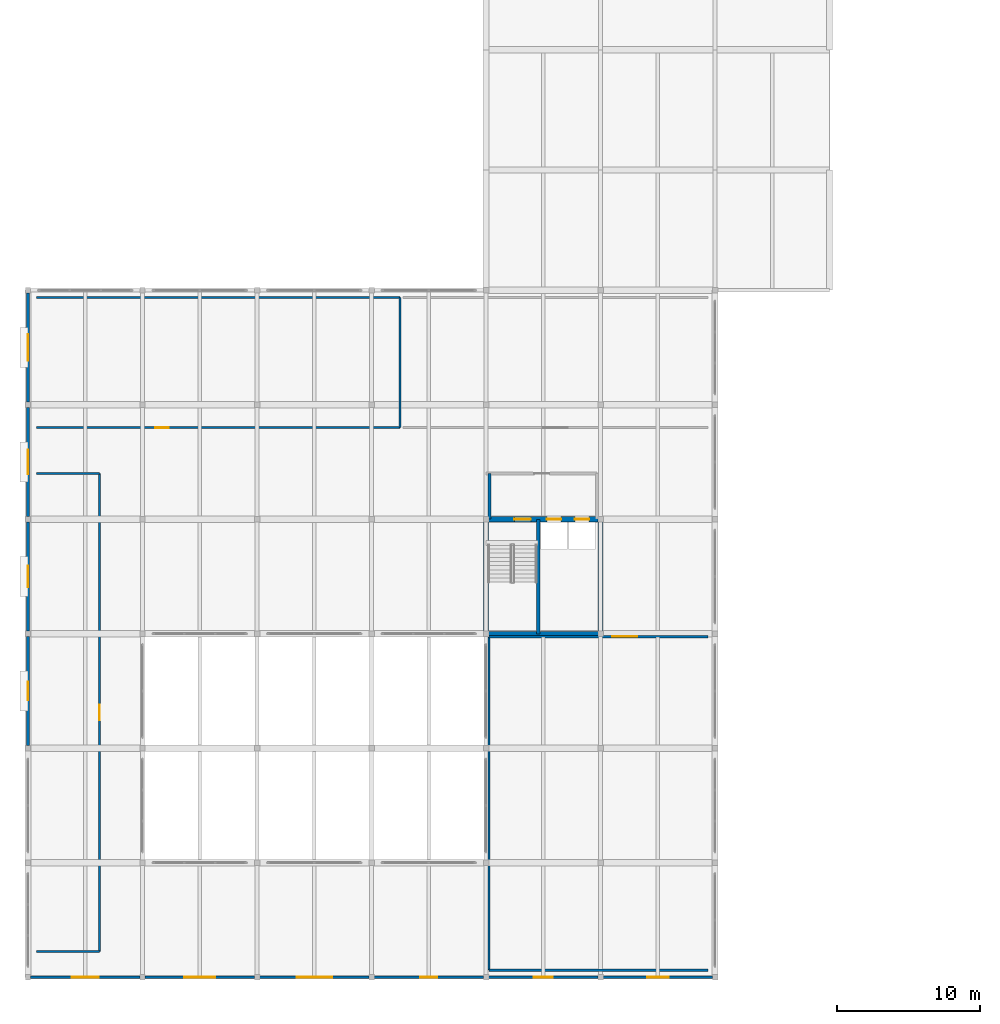
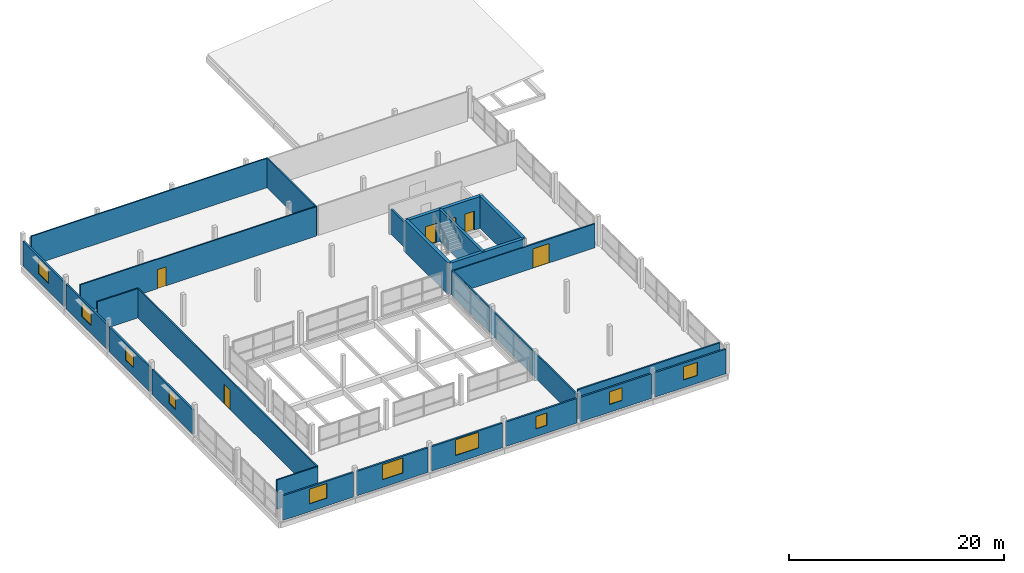
# One storey, part 23 of 34: 25 walls, 10 windows, 6 doors, 16 openings.
"""IFC4 building model written with IfcOpenShell, lengths in metres."""

import ifcopenshell
import ifcopenshell.guid

model = None  # the IFC model being written
_history = None  # IfcOwnerHistory: only IFC2X3 demands one
_inside = {}  # id of a spatial element -> (the spatial element, [elements in it])
_under = {}  # id of a project, library or spatial element -> (it, [spatial elements below it])
_declared = {}  # id of a project -> (the project, [libraries it declares])
_typed = {}  # id of a type object -> (the type object, [elements of that type])
_made_of = {}  # id of a material, layer set ... -> (it, [elements and type objects made of it])


def new_model(schema):
    """Start an empty IFC model of exactly this schema.

    Asked for "IFC4X3", IfcOpenShell would pick the latest addendum, in which some entities
    have other attributes; the version numbers below select the first issue.
    IFC2X3 requires an IfcOwnerHistory on every rooted entity: one is made here for all.
    """
    global model, _history
    if schema == "IFC4X3":
        model = ifcopenshell.file(schema_version=(4, 3, 0, 0))
    else:
        model = ifcopenshell.file(schema=schema)
    _inside.clear()
    _under.clear()
    _declared.clear()
    _typed.clear()
    _made_of.clear()
    _history = None
    if model.schema == "IFC2X3":
        org = make("IfcOrganization", Name="unknown")
        user = make(
            "IfcPersonAndOrganization",
            ThePerson=make("IfcPerson", FamilyName="unknown"),
            TheOrganization=org,
        )
        app = make(
            "IfcApplication",
            ApplicationDeveloper=org,
            Version="unknown",
            ApplicationFullName="unknown",
            ApplicationIdentifier="unknown",
        )
        _history = make(
            "IfcOwnerHistory",
            OwningUser=user,
            OwningApplication=app,
            ChangeAction="ADDED",
            CreationDate=0,
        )
    return model


def make(cls, **values):
    """One entity of the class cls with the attributes given. An attribute that is None is left unset."""
    return model.create_entity(
        cls, **{name: value for name, value in values.items() if value is not None}
    )


def rooted(cls, **values):
    """An entity with a GlobalId (a new one), such as an element, a storey or a relation."""
    return make(cls, GlobalId=ifcopenshell.guid.new(), OwnerHistory=_history, **values)


def si_unit(unit_type, name, prefix=None):
    """IfcSIUnit, for example si_unit("LENGTHUNIT", "METRE", prefix="MILLI")."""
    return make("IfcSIUnit", UnitType=unit_type, Prefix=prefix, Name=name)


def assignment(units):
    """IfcUnitAssignment: the units of a project."""
    return None if units is None else make("IfcUnitAssignment", Units=units)


def point(xyz):
    """IfcCartesianPoint."""
    return None if xyz is None else make("IfcCartesianPoint", Coordinates=xyz)


def direction(xyz):
    """IfcDirection."""
    return None if xyz is None else make("IfcDirection", DirectionRatios=xyz)


def frame(location, z_axis=None, x_axis=None):
    """IfcAxis2Placement3D, a coordinate frame: its origin and axes. An axis left out is left unset."""
    return make(
        "IfcAxis2Placement3D",
        Location=point(location),
        Axis=direction(z_axis),
        RefDirection=direction(x_axis),
    )


def frame_2d(location, x_axis=None):
    """IfcAxis2Placement2D, a coordinate frame in the plane: its origin and x axis."""
    return make(
        "IfcAxis2Placement2D", Location=point(location), RefDirection=direction(x_axis)
    )


def origin():
    """The frame at (0, 0, 0) with its axes left unset."""
    return frame((0.0, 0.0, 0.0))


def place(relative_to, where):
    """IfcLocalPlacement: puts the frame where relative to a parent placement (None: the world)."""
    return make(
        "IfcLocalPlacement", PlacementRelTo=relative_to, RelativePlacement=where
    )


def context(
    kind, dimensions, precision=None, world=None, true_north=None, identifier=None
):
    """IfcGeometricRepresentationContext, for example the 3D "Model" context."""
    return make(
        "IfcGeometricRepresentationContext",
        ContextIdentifier=identifier,
        ContextType=kind,
        CoordinateSpaceDimension=dimensions,
        Precision=precision,
        WorldCoordinateSystem=world,
        TrueNorth=true_north,
    )


def subcontext(parent, identifier, kind, view, scale=None):
    """IfcGeometricRepresentationSubContext, for example "Body" below "Model"."""
    return make(
        "IfcGeometricRepresentationSubContext",
        ContextIdentifier=identifier,
        ContextType=kind,
        ParentContext=parent,
        TargetScale=scale,
        TargetView=view,
    )


def project(units=None, contexts=None):
    """IfcProject with its units and contexts."""
    return rooted(
        "IfcProject",
        Name="project",
        RepresentationContexts=contexts,
        UnitsInContext=assignment(units),
    )


def spatial(cls, under=None, at=None, **own):
    """A site, building, storey or space (cls), placed at a placement, below another one or the project."""
    s = rooted(cls, ObjectPlacement=at, **own)
    if under is not None:
        _under.setdefault(under.id(), (under, []))[1].append(s)
    return s


def profile(cls, at=None, kind="AREA", **sizes):
    """A parametric profile (cls). Its sizes go by their IFC names, for example OverallWidth=200.0."""
    return make(cls, ProfileType=kind, Position=at, **sizes)


def rectangle(**sizes):
    """IfcRectangleProfileDef."""
    return profile("IfcRectangleProfileDef", **sizes)


def extrude(swept, where, along, depth):
    """IfcExtrudedAreaSolid: the profile swept, set in the frame where, extruded along a direction by depth."""
    return make(
        "IfcExtrudedAreaSolid",
        SweptArea=swept,
        Position=where,
        ExtrudedDirection=direction(along),
        Depth=depth,
    )


def shape(context_of_items, identifier, shape_type, items):
    """IfcShapeRepresentation: the items that make up one representation, for example the "Body"."""
    return make(
        "IfcShapeRepresentation",
        ContextOfItems=context_of_items,
        RepresentationIdentifier=identifier,
        RepresentationType=shape_type,
        Items=items,
    )


def material(Name=None, Category=None):
    """IfcMaterial."""
    return make("IfcMaterial", Name=Name, Category=Category)


def layer(
    of_material, thickness, ventilated=None, Name=None, Category=None, Priority=None
):
    """IfcMaterialLayer: one layer of a wall or slab, of a material (None: an air gap)."""
    return make(
        "IfcMaterialLayer",
        Material=of_material,
        LayerThickness=thickness,
        IsVentilated=ventilated,
        Name=Name,
        Category=Category,
        Priority=Priority,
    )


def layer_set(layers, Name=None):
    """IfcMaterialLayerSet."""
    return make("IfcMaterialLayerSet", MaterialLayers=layers, LayerSetName=Name)


def made_of(thing, what):
    """Note that an element or type object is made of a material, layer set ...; save() writes the relation."""
    if what is not None:
        _made_of.setdefault(what.id(), (what, []))[1].append(thing)
    return thing


def type_object(cls, material=None, **own):
    """A type object (cls), such as IfcWallType, which elements share."""
    return made_of(rooted(cls, **own), material)


def element(
    cls,
    number,
    at=None,
    inside=None,
    cuts=None,
    type_object=None,
    material=None,
    context=None,
    identifier="Body",
    shape_type=None,
    held_by="IfcProductDefinitionShape",
    body=None,
    shapes=None,
    **own,
):
    """One element of the class cls, such as IfcWall. Its Tag is "e" and its number.

    at: its placement. inside: the storey or other place that contains it. cuts: it is an
    opening in that element (IfcRelVoidsElement). A single representation is given by context,
    identifier, shape_type and body (its items); several are given by shapes. held_by: the class
    of the entity that holds the representations. save() writes the other relations.
    """
    e = rooted(cls, Tag="e%d" % number, ObjectPlacement=at, **own)
    if body is not None:
        shapes = [shape(context, identifier, shape_type, body)]
    if shapes is not None:
        e.Representation = make(held_by, Representations=shapes)
    if inside is not None:
        _inside.setdefault(inside.id(), (inside, []))[1].append(e)
    if cuts is not None:
        rooted(
            "IfcRelVoidsElement", RelatingBuildingElement=cuts, RelatedOpeningElement=e
        )
    if type_object is not None:
        _typed.setdefault(type_object.id(), (type_object, []))[1].append(e)
    return made_of(e, material)


def fill(opening, filler):
    """IfcRelFillsElement: the door or window that sits in an opening."""
    return rooted(
        "IfcRelFillsElement",
        RelatingOpeningElement=opening,
        RelatedBuildingElement=filler,
    )


def aggregate(whole, parts):
    """IfcRelAggregates: a whole, such as a stair, and the parts it consists of."""
    return rooted("IfcRelAggregates", RelatingObject=whole, RelatedObjects=parts)


def save(model, path):
    """Write the relations noted so far, then the file.

    IfcRelAggregates (storeys below a building ...), IfcRelContainedInSpatialStructure (elements
    in a storey), IfcRelDefinesByType, IfcRelAssociatesMaterial and IfcRelDeclares: one each for
    every whole, place, type object, material and project.
    """
    for whole, parts in _under.values():
        aggregate(whole, parts)
    for where, things in _inside.values():
        rooted(
            "IfcRelContainedInSpatialStructure",
            RelatedElements=things,
            RelatingStructure=where,
        )
    for kind, things in _typed.values():
        rooted("IfcRelDefinesByType", RelatedObjects=things, RelatingType=kind)
    for what, things in _made_of.values():
        rooted("IfcRelAssociatesMaterial", RelatedObjects=things, RelatingMaterial=what)
    for by, libraries in _declared.values():
        rooted("IfcRelDeclares", RelatingContext=by, RelatedDefinitions=libraries)
    model.write(path)


model = new_model("IFC4")

# Units and contexts
model_context = context("Model", 3, precision=1e-05, world=origin(), true_north=direction((0.0, 1.0)))
body_context = subcontext(model_context, "Body", "Model", "MODEL_VIEW")
ifc_project = project(units=[si_unit("LENGTHUNIT", "METRE"), si_unit("AREAUNIT", "SQUARE_METRE"), si_unit("VOLUMEUNIT", "CUBIC_METRE"), si_unit("PLANEANGLEUNIT", "RADIAN"), si_unit("MASSUNIT", "GRAM", prefix="KILO")], contexts=[model_context])

# Site, building, storey
site_placement = place(None, origin())
site = spatial("IfcSite", under=ifc_project, at=site_placement, CompositionType="ELEMENT")
building_placement = place(site_placement, origin())
building = spatial("IfcBuilding", under=site, at=building_placement, Name="Vharandega Faculty of Natural Sciences", CompositionType="ELEMENT")
storey_placement = place(building_placement, frame((0.0, 0.0, 21.60009765625)))
storey = spatial("IfcBuildingStorey", under=building, at=storey_placement, Name="L05", CompositionType="ELEMENT", Elevation=21.60009765625)

# Walls
ifc_material_1 = material(Name="Concrete C40/50", Category="concrete")
ifc_layer_1 = layer(ifc_material_1, 0.35009765625, Name="Concrete C40/50")
ifc_layer_set_1 = layer_set([ifc_layer_1], Name="Concrete C40/50")
wall_type_1 = type_object("IfcWallType", Name="Core Shear Wall 350", PredefinedType="SHEAR", material=ifc_layer_set_1)
for number, where, z_axis, x_axis, name in (
    (1, (32.0, 40.0, 0.0), (0.0, 0.0, 1.0), (1.0, 0.0, 0.0), "Interior Wall CW-C3-L05-S"),
    (2, (32.0, 40.0, 0.0), (0.0, 0.0, 1.0), (0.0, 1.0, 0.0), "Interior Wall CW-C3-L05-W"),
    (3, (40.0, 40.0, 0.0), (0.0, 0.0, 1.0), (0.0, 1.0, 0.0), "Interior Wall CW-C3-L05-E"),
):
    element("IfcWall", number, at=place(storey_placement, frame(where, z_axis=z_axis, x_axis=x_axis)), inside=storey, type_object=wall_type_1, Name=name, PredefinedType="SHEAR", context=body_context, shape_type="SweptSolid", body=[
        extrude(rectangle(XDim=8.0, YDim=0.35009765625, at=frame_2d((4.0, 0.0))), origin(), (0.0, 0.0, 1.0), 3.599853515625),
    ])

# Wall, openings, doors
wall_1_placement = place(storey_placement, frame((32.0, 48.0, 0.0), z_axis=(0.0, 0.0, 1.0), x_axis=(1.0, 0.0, 0.0)))
wall_1 = element("IfcWall", 4, at=wall_1_placement, inside=storey, type_object=wall_type_1, Name="Interior Wall CW-C3-L05-N", PredefinedType="SHEAR", context=body_context, shape_type="SweptSolid", body=[
    extrude(rectangle(XDim=8.0, YDim=0.35009765625, at=frame_2d((4.0, 0.0))), origin(), (0.0, 0.0, 1.0), 3.599853515625),
])
opening_1_placement = place(wall_1_placement, frame((1.97998046875, 0.0, 0.0)))
opening_1 = element("IfcOpeningElement", 5, at=opening_1_placement, cuts=wall_1, Name="Opening FD1", PredefinedType="OPENING", context=body_context, shape_type="SweptSolid", body=[
    extrude(rectangle(XDim=1.14990234375, YDim=2.199951171875, at=frame_2d((0.574951171875, 1.10009765625))), frame((0.0, 0.18505859375, 0.0), z_axis=(0.0, -1.0, 0.0), x_axis=(1.0, 0.0, 0.0)), (0.0, 0.0, 1.0), 0.3701171875),
])
opening_2_placement = place(wall_1_placement, frame((4.25, 0.0, 0.0)))
opening_2 = element("IfcOpeningElement", 6, at=opening_2_placement, cuts=wall_1, Name="Opening LD-LP3-L05", PredefinedType="OPENING", context=body_context, shape_type="SweptSolid", body=[
    extrude(rectangle(XDim=1.0, YDim=2.14990234375, at=frame_2d((0.5, 1.074951171875))), frame((0.0, 0.18505859375, 0.0), z_axis=(0.0, -1.0, 0.0), x_axis=(1.0, 0.0, 0.0)), (0.0, 0.0, 1.0), 0.3701171875),
])
opening_3_placement = place(wall_1_placement, frame((6.199951171875, 0.0, 0.0)))
opening_3 = element("IfcOpeningElement", 7, at=opening_3_placement, cuts=wall_1, Name="Opening LD-LP4-L05", PredefinedType="OPENING", context=body_context, shape_type="SweptSolid", body=[
    extrude(rectangle(XDim=1.0, YDim=2.14990234375, at=frame_2d((0.5, 1.074951171875))), frame((0.0, 0.18505859375, 0.0), z_axis=(0.0, -1.0, 0.0), x_axis=(1.0, 0.0, 0.0)), (0.0, 0.0, 1.0), 0.3701171875),
])
ifc_material_2 = material(Name="Solid-core hardwood timber fire door", Category="wood")
door_type_1 = type_object("IfcDoorType", Name="FD1-STAIR-1150x2200", OperationType="NOTDEFINED", PredefinedType="DOOR", material=ifc_material_2)
door_1_placement = place(opening_1_placement, origin())
door_1 = element("IfcDoor", 8, at=door_1_placement, inside=storey, type_object=door_type_1, Name="Stair ST3 Fire Door FD1", OperationType="SINGLE_SWING_LEFT", OverallHeight=2.199951171875, OverallWidth=1.14990234375, PredefinedType="DOOR", context=body_context, shape_type="SweptSolid", body=[
    extrude(rectangle(XDim=1.14990234375, YDim=2.199951171875, at=frame_2d((0.574951171875, 1.10009765625))), frame((0.0, 0.02490234375, 0.0), z_axis=(0.0, -1.0, 0.0), x_axis=(1.0, 0.0, 0.0)), (0.0, 0.0, 1.0), 0.050048828125),
])
fill(opening_1, door_1)
ifc_material_3 = material(Name="Brushed stainless steel sliding landing door", Category="steel")
door_type_2 = type_object("IfcDoorType", Name="LD2-PAXLIFT-SLIDING-1000x2150", OperationType="DOUBLE_DOOR_SLIDING", PredefinedType="DOOR", material=ifc_material_3)
door_2_placement = place(opening_2_placement, origin())
door_2 = element("IfcDoor", 9, at=door_2_placement, inside=storey, type_object=door_type_2, Name="Lift Landing Door LD-LP3-L05", OperationType="DOUBLE_DOOR_SLIDING", OverallHeight=2.14990234375, OverallWidth=1.0, PredefinedType="DOOR", context=body_context, shape_type="SweptSolid", body=[
    extrude(rectangle(XDim=1.0, YDim=2.14990234375, at=frame_2d((0.5, 1.074951171875))), frame((0.0, 0.02490234375, 0.0), z_axis=(0.0, -1.0, 0.0), x_axis=(1.0, 0.0, 0.0)), (0.0, 0.0, 1.0), 0.050048828125),
])
fill(opening_2, door_2)
door_3_placement = place(opening_3_placement, origin())
door_3 = element("IfcDoor", 10, at=door_3_placement, inside=storey, type_object=door_type_2, Name="Lift Landing Door LD-LP4-L05", OperationType="DOUBLE_DOOR_SLIDING", OverallHeight=2.14990234375, OverallWidth=1.0, PredefinedType="DOOR", context=body_context, shape_type="SweptSolid", body=[
    extrude(rectangle(XDim=1.0, YDim=2.14990234375, at=frame_2d((0.5, 1.074951171875))), frame((0.0, 0.02490234375, 0.0), z_axis=(0.0, -1.0, 0.0), x_axis=(1.0, 0.0, 0.0)), (0.0, 0.0, 1.0), 0.050048828125),
])
fill(opening_3, door_3)

# Walls
ifc_material_4 = material(Name="Concrete C40/50", Category="concrete")
ifc_layer_2 = layer(ifc_material_4, 0.199951171875, Name="Concrete C40/50")
ifc_layer_set_2 = layer_set([ifc_layer_2], Name="Concrete C40/50")
wall_type_2 = type_object("IfcWallType", Name="Firefighting Lobby Wall 200", PredefinedType="PARTITIONING", material=ifc_layer_set_2)
wall_2_placement = place(storey_placement, frame((32.25, 48.0, 0.0), z_axis=(0.0, 0.0, 1.0), x_axis=(0.0, 1.0, 0.0)))
element("IfcWall", 11, at=wall_2_placement, inside=storey, type_object=wall_type_2, Name="Interior Wall PW-LL-C3-L05-W", PredefinedType="PARTITIONING", context=body_context, shape_type="SweptSolid", body=[
    extrude(rectangle(XDim=3.199951171875, YDim=0.199951171875, at=frame_2d((1.60009765625, 0.0))), origin(), (0.0, 0.0, 1.0), 2.83984375),
])
ifc_material_5 = material(Name="Gypsum fire-board on steel stud", Category="steel")
ifc_layer_3 = layer(ifc_material_5, 0.159912109375, Name="Gypsum fire-board on steel stud")
ifc_layer_set_3 = layer_set([ifc_layer_3], Name="Gypsum fire-board on steel stud")
wall_type_3 = type_object("IfcWallType", Name="Laboratory Fire Corridor Wall 160", PredefinedType="PARTITIONING", material=ifc_layer_set_3)
wall_3_placement = place(storey_placement, frame((32.199951171875, 16.5, 0.0), z_axis=(0.0, 0.0, 1.0), x_axis=(1.0, 0.0, 0.0)))
element("IfcWall", 12, at=wall_3_placement, inside=storey, type_object=wall_type_3, Name="Interior Wall PW-L05-R02S", PredefinedType="PARTITIONING", context=body_context, shape_type="SweptSolid", body=[
    extrude(rectangle(XDim=15.300048828125, YDim=0.159912109375, at=frame_2d((7.64990234375, 0.0))), origin(), (0.0, 0.0, 1.0), 3.33984375),
])

# Wall, opening, door
wall_4_placement = place(storey_placement, frame((32.199951171875, 39.800048828125, 0.0), z_axis=(0.0, 0.0, 1.0), x_axis=(1.0, 0.0, 0.0)))
wall_4 = element("IfcWall", 13, at=wall_4_placement, inside=storey, type_object=wall_type_3, Name="Interior Wall PW-L05-R02N", PredefinedType="PARTITIONING", context=body_context, shape_type="SweptSolid", body=[
    extrude(rectangle(XDim=15.300048828125, YDim=0.159912109375, at=frame_2d((7.64990234375, 0.0))), origin(), (0.0, 0.0, 1.0), 2.719970703125),
])
opening_4_placement = place(wall_4_placement, frame((8.623779296875, 0.0, 0.0)))
opening_4 = element("IfcOpeningElement", 14, at=opening_4_placement, cuts=wall_4, Name="Opening D0308", PredefinedType="OPENING", context=body_context, shape_type="SweptSolid", body=[
    extrude(rectangle(XDim=1.75, YDim=2.199951171875, at=frame_2d((0.875, 1.10009765625))), frame((0.0, 0.08984375, 0.0), z_axis=(0.0, -1.0, 0.0), x_axis=(1.0, 0.0, 0.0)), (0.0, 0.0, 1.0), 0.179931640625),
])
ifc_material_6 = material(Name="Solid-core hardwood timber fire door", Category="wood")
door_type_3 = type_object("IfcDoorType", Name="ID09-HERBARIUM-DBL-1750x2200", OperationType="DOUBLE_DOOR_SINGLE_SWING", PredefinedType="DOOR", material=ifc_material_6)
door_4_placement = place(opening_4_placement, origin())
door_4 = element("IfcDoor", 15, at=door_4_placement, inside=storey, type_object=door_type_3, Name="Mycology Herbarium Archive Door D0308", OperationType="DOUBLE_DOOR_SINGLE_SWING", OverallHeight=2.199951171875, OverallWidth=1.75, PredefinedType="DOOR", context=body_context, shape_type="SweptSolid", body=[
    extrude(rectangle(XDim=1.75, YDim=2.199951171875, at=frame_2d((0.875, 1.10009765625))), frame((0.0, 0.02490234375, 0.0), z_axis=(0.0, -1.0, 0.0), x_axis=(1.0, 0.0, 0.0)), (0.0, 0.0, 1.0), 0.050048828125),
])
fill(opening_4, door_4)

# Walls
wall_5_placement = place(storey_placement, frame((32.199951171875, 16.5, 0.0), z_axis=(0.0, 0.0, 1.0), x_axis=(0.0, 1.0, 0.0)))
element("IfcWall", 16, at=wall_5_placement, inside=storey, type_object=wall_type_3, Name="Interior Wall PW-L05-R02W", PredefinedType="PARTITIONING", context=body_context, shape_type="SweptSolid", body=[
    extrude(rectangle(XDim=23.300048828125, YDim=0.159912109375, at=frame_2d((11.64990234375, 0.0))), origin(), (0.0, 0.0, 1.0), 2.7998046875),
])
ifc_material_7 = material(Name="Concrete C40/50", Category="concrete")
ifc_layer_4 = layer(ifc_material_7, 0.260009765625, Name="Concrete C40/50")
ifc_layer_set_4 = layer_set([ifc_layer_4], Name="Concrete C40/50")
wall_type_4 = type_object("IfcWallType", Name="Lift Shaft Shear Wall 260", PredefinedType="SHEAR", material=ifc_layer_set_4)
wall_6_placement = place(storey_placement, frame((35.639892578125, 40.0, 0.0), z_axis=(0.0, 0.0, 1.0), x_axis=(0.0, 1.0, 0.0)))
element("IfcWall", 17, at=wall_6_placement, inside=storey, type_object=wall_type_4, Name="Interior Wall CW-C3-L05-DIV", PredefinedType="SHEAR", context=body_context, shape_type="SweptSolid", body=[
    extrude(rectangle(XDim=8.0, YDim=0.260009765625, at=frame_2d((4.0, 0.0))), origin(), (0.0, 0.0, 1.0), 3.599853515625),
])
ifc_material_8 = material(Name="Gypsum acoustic partition", Category="gypsum")
ifc_layer_5 = layer(ifc_material_8, 0.139892578125, Name="Gypsum acoustic partition")
ifc_layer_set_5 = layer_set([ifc_layer_5], Name="Gypsum acoustic partition")
wall_type_5 = type_object("IfcWallType", Name="Room Partition Wall 140", PredefinedType="PARTITIONING", material=ifc_layer_set_5)
for number, where, z_axis, x_axis, name in (
    (18, (0.60009765625, 17.800048828125, 0.0), (0.0, 0.0, 1.0), (1.0, 0.0, 0.0), "Interior Wall PW-L05-R01S"),
    (19, (0.60009765625, 51.199951171875, 0.0), (0.0, 0.0, 1.0), (1.0, 0.0, 0.0), "Interior Wall PW-L05-R01N"),
):
    element("IfcWall", number, at=place(storey_placement, frame(where, z_axis=z_axis, x_axis=x_axis)), inside=storey, type_object=wall_type_5, Name=name, PredefinedType="PARTITIONING", context=body_context, shape_type="SweptSolid", body=[
        extrude(rectangle(XDim=4.39990234375, YDim=0.139892578125, at=frame_2d((2.199951171875, 0.0))), origin(), (0.0, 0.0, 1.0), 3.33984375),
    ])

# Wall, opening, door
wall_7_placement = place(storey_placement, frame((5.0, 17.800048828125, 0.0), z_axis=(0.0, 0.0, 1.0), x_axis=(0.0, 1.0, 0.0)))
wall_7 = element("IfcWall", 20, at=wall_7_placement, inside=storey, type_object=wall_type_5, Name="Interior Wall PW-L05-R01E", PredefinedType="PARTITIONING", context=body_context, shape_type="SweptSolid", body=[
    extrude(rectangle(XDim=33.39990234375, YDim=0.139892578125, at=frame_2d((16.699951171875, 0.0))), origin(), (0.0, 0.0, 1.0), 3.33984375),
])
opening_5_placement = place(wall_7_placement, frame((16.159912109375, 0.0, 0.0)))
opening_5 = element("IfcOpeningElement", 21, at=opening_5_placement, cuts=wall_7, Name="Opening D0307", PredefinedType="OPENING", context=body_context, shape_type="SweptSolid", body=[
    extrude(rectangle(XDim=1.080078125, YDim=2.199951171875, at=frame_2d((0.5400390625, 1.10009765625))), frame((0.0, 0.080078125, 0.0), z_axis=(0.0, -1.0, 0.0), x_axis=(1.0, 0.0, 0.0)), (0.0, 0.0, 1.0), 0.159912109375),
])
ifc_material_9 = material(Name="Solid-core hardwood timber fire door", Category="wood")
door_type_4 = type_object("IfcDoorType", Name="ID03-SEMINAR-1080x2200", OperationType="NOTDEFINED", PredefinedType="DOOR", material=ifc_material_9)
door_5_placement = place(opening_5_placement, origin())
door_5 = element("IfcDoor", 22, at=door_5_placement, inside=storey, type_object=door_type_4, Name="Seminar Room 501 Door D0307", OperationType="SINGLE_SWING_LEFT", OverallHeight=2.199951171875, OverallWidth=1.080078125, PredefinedType="DOOR", context=body_context, shape_type="SweptSolid", body=[
    extrude(rectangle(XDim=1.080078125, YDim=2.199951171875, at=frame_2d((0.5400390625, 1.10009765625))), frame((0.0, 0.02490234375, 0.0), z_axis=(0.0, -1.0, 0.0), x_axis=(1.0, 0.0, 0.0)), (0.0, 0.0, 1.0), 0.050048828125),
])
fill(opening_5, door_5)

wall_8_placement = place(storey_placement, frame((0.60009765625, 54.39990234375, 0.0), z_axis=(0.0, 0.0, 1.0), x_axis=(1.0, 0.0, 0.0)))
wall_8 = element("IfcWall", 23, at=wall_8_placement, inside=storey, type_object=wall_type_5, Name="Interior Wall PW-L05-R03S", PredefinedType="PARTITIONING", context=body_context, shape_type="SweptSolid", body=[
    extrude(rectangle(XDim=25.39990234375, YDim=0.139892578125, at=frame_2d((12.699951171875, 0.0))), origin(), (0.0, 0.0, 1.0), 3.33984375),
])
opening_6_placement = place(wall_8_placement, frame((8.30419921875, 0.0, 0.0)))
opening_6 = element("IfcOpeningElement", 24, at=opening_6_placement, cuts=wall_8, Name="Opening D0309", PredefinedType="OPENING", context=body_context, shape_type="SweptSolid", body=[
    extrude(rectangle(XDim=0.919921875, YDim=2.14990234375, at=frame_2d((0.4599609375, 1.074951171875))), frame((0.0, 0.080078125, 0.0), z_axis=(0.0, -1.0, 0.0), x_axis=(1.0, 0.0, 0.0)), (0.0, 0.0, 1.0), 0.159912109375),
])
ifc_material_10 = material(Name="Solid-core hardwood timber fire door", Category="wood")
door_type_5 = type_object("IfcDoorType", Name="ID05-OFFICE-0920x2150", OperationType="NOTDEFINED", PredefinedType="DOOR", material=ifc_material_10)
door_6_placement = place(opening_6_placement, origin())
door_6 = element("IfcDoor", 25, at=door_6_placement, inside=storey, type_object=door_type_5, Name="Academic Staff Office Suite 5A Door D0309", OperationType="SINGLE_SWING_RIGHT", OverallHeight=2.14990234375, OverallWidth=0.919921875, PredefinedType="DOOR", context=body_context, shape_type="SweptSolid", body=[
    extrude(rectangle(XDim=0.919921875, YDim=2.14990234375, at=frame_2d((0.4599609375, 1.074951171875))), frame((0.0, 0.02490234375, 0.0), z_axis=(0.0, -1.0, 0.0), x_axis=(1.0, 0.0, 0.0)), (0.0, 0.0, 1.0), 0.050048828125),
])
fill(opening_6, door_6)

# Walls
wall_9_placement = place(storey_placement, frame((0.60009765625, 63.5, 0.0), z_axis=(0.0, 0.0, 1.0), x_axis=(1.0, 0.0, 0.0)))
element("IfcWall", 26, at=wall_9_placement, inside=storey, type_object=wall_type_5, Name="Interior Wall PW-L05-R03N", PredefinedType="PARTITIONING", context=body_context, shape_type="SweptSolid", body=[
    extrude(rectangle(XDim=25.39990234375, YDim=0.139892578125, at=frame_2d((12.699951171875, 0.0))), origin(), (0.0, 0.0, 1.0), 3.33984375),
])
wall_10_placement = place(storey_placement, frame((26.0, 54.39990234375, 0.0), z_axis=(0.0, 0.0, 1.0), x_axis=(0.0, 1.0, 0.0)))
element("IfcWall", 27, at=wall_10_placement, inside=storey, type_object=wall_type_5, Name="Interior Wall PW-L05-R03E", PredefinedType="PARTITIONING", context=body_context, shape_type="SweptSolid", body=[
    extrude(rectangle(XDim=9.10009765625, YDim=0.139892578125, at=frame_2d((4.550048828125, 0.0))), origin(), (0.0, 0.0, 1.0), 3.33984375),
])

# Wall, opening, window
ifc_material_11 = material(Name="Precast concrete C40/50", Category="concrete")
ifc_layer_6 = layer(ifc_material_11, 0.18994140625, Name="Precast concrete C40/50")
ifc_layer_set_6 = layer_set([ifc_layer_6], Name="Precast concrete C40/50")
wall_type_6 = type_object("IfcWallType", Name="Terracotta Spandrel Wall 190", PredefinedType="SOLIDWALL", material=ifc_layer_set_6)
wall_11_placement = place(storey_placement, frame((0.0, 32.18798828125, 0.0), z_axis=(0.0, 0.0, 1.0), x_axis=(0.0, 1.0, 0.0)))
wall_11 = element("IfcWall", 28, at=wall_11_placement, inside=storey, type_object=wall_type_6, Name="Exterior Wall EW-V5W-L05-E", PredefinedType="SOLIDWALL", context=body_context, shape_type="SweptSolid", body=[
    extrude(rectangle(XDim=7.6240234375, YDim=0.18994140625, at=frame_2d((3.81201171875, 0.0))), origin(), (0.0, 0.0, 1.0), 2.7998046875),
])
opening_7_placement = place(wall_11_placement, frame((3.172119140625, 0.0, 0.8798828125)))
opening_7 = element("IfcOpeningElement", 29, at=opening_7_placement, cuts=wall_11, Name="Opening WN-39", PredefinedType="OPENING", context=body_context, shape_type="SweptSolid", body=[
    extrude(rectangle(XDim=1.280029296875, YDim=1.52001953125, at=frame_2d((0.64013671875, 0.760009765625))), frame((0.0, 0.10498046875, 0.0), z_axis=(0.0, -1.0, 0.0), x_axis=(1.0, 0.0, 0.0)), (0.0, 0.0, 1.0), 0.2099609375),
])
ifc_material_12 = material(Name="Double-glazed solar-control glass in thermally broken aluminium frame", Category="aluminium")
window_type_1 = type_object("IfcWindowType", Name="WIN-SEM-128x152", PartitioningType="SINGLE_PANEL", PredefinedType="WINDOW", material=ifc_material_12)
window_1_placement = place(opening_7_placement, origin())
window_1 = element("IfcWindow", 30, at=window_1_placement, inside=storey, type_object=window_type_1, Name="Window WIN-L05-0268", OverallHeight=1.52001953125, OverallWidth=1.280029296875, PartitioningType="SINGLE_PANEL", PredefinedType="WINDOW", context=body_context, shape_type="SweptSolid", body=[
    extrude(rectangle(XDim=1.280029296875, YDim=1.52001953125, at=frame_2d((0.64013671875, 0.760009765625))), frame((0.0, 0.030029296875, 0.0), z_axis=(0.0, -1.0, 0.0), x_axis=(1.0, 0.0, 0.0)), (0.0, 0.0, 1.0), 0.06005859375),
])
fill(opening_7, window_1)

wall_12_placement = place(storey_placement, frame((0.0, 40.18798828125, 0.0), z_axis=(0.0, 0.0, 1.0), x_axis=(0.0, 1.0, 0.0)))
wall_12 = element("IfcWall", 31, at=wall_12_placement, inside=storey, type_object=wall_type_6, Name="Exterior Wall EW-V5W-L05-F", PredefinedType="SOLIDWALL", context=body_context, shape_type="SweptSolid", body=[
    extrude(rectangle(XDim=7.6240234375, YDim=0.18994140625, at=frame_2d((3.81201171875, 0.0))), origin(), (0.0, 0.0, 1.0), 2.7998046875),
])
opening_8_placement = place(wall_12_placement, frame((3.072021484375, 0.0, 0.8798828125)))
opening_8 = element("IfcOpeningElement", 32, at=opening_8_placement, cuts=wall_12, Name="Opening WN-40", PredefinedType="OPENING", context=body_context, shape_type="SweptSolid", body=[
    extrude(rectangle(XDim=1.47998046875, YDim=1.580078125, at=frame_2d((0.739990234375, 0.7900390625))), frame((0.0, 0.10498046875, 0.0), z_axis=(0.0, -1.0, 0.0), x_axis=(1.0, 0.0, 0.0)), (0.0, 0.0, 1.0), 0.2099609375),
])
ifc_material_13 = material(Name="Double-glazed solar-control glass in thermally broken aluminium frame", Category="aluminium")
window_type_2 = type_object("IfcWindowType", Name="WIN-SEM-148x158", PartitioningType="SINGLE_PANEL", PredefinedType="WINDOW", material=ifc_material_13)
window_2_placement = place(opening_8_placement, origin())
window_2 = element("IfcWindow", 33, at=window_2_placement, inside=storey, type_object=window_type_2, Name="Window WIN-L05-0269", OverallHeight=1.580078125, OverallWidth=1.47998046875, PartitioningType="SINGLE_PANEL", PredefinedType="WINDOW", context=body_context, shape_type="SweptSolid", body=[
    extrude(rectangle(XDim=1.47998046875, YDim=1.580078125, at=frame_2d((0.739990234375, 0.7900390625))), frame((0.0, 0.030029296875, 0.0), z_axis=(0.0, -1.0, 0.0), x_axis=(1.0, 0.0, 0.0)), (0.0, 0.0, 1.0), 0.06005859375),
])
fill(opening_8, window_2)

wall_13_placement = place(storey_placement, frame((0.0, 48.18798828125, 0.0), z_axis=(0.0, 0.0, 1.0), x_axis=(0.0, 1.0, 0.0)))
wall_13 = element("IfcWall", 34, at=wall_13_placement, inside=storey, type_object=wall_type_6, Name="Exterior Wall EW-V5W-L05-G", PredefinedType="SOLIDWALL", context=body_context, shape_type="SweptSolid", body=[
    extrude(rectangle(XDim=7.6240234375, YDim=0.18994140625, at=frame_2d((3.81201171875, 0.0))), origin(), (0.0, 0.0, 1.0), 2.7998046875),
])
opening_9_placement = place(wall_13_placement, frame((2.951904296875, 0.0, 0.8798828125)))
opening_9 = element("IfcOpeningElement", 35, at=opening_9_placement, cuts=wall_13, Name="Opening WN-41", PredefinedType="OPENING", context=body_context, shape_type="SweptSolid", body=[
    extrude(rectangle(XDim=1.719970703125, YDim=1.6201171875, at=frame_2d((0.85986328125, 0.81005859375))), frame((0.0, 0.10498046875, 0.0), z_axis=(0.0, -1.0, 0.0), x_axis=(1.0, 0.0, 0.0)), (0.0, 0.0, 1.0), 0.2099609375),
])
ifc_material_14 = material(Name="Double-glazed solar-control glass in thermally broken aluminium frame", Category="aluminium")
window_type_3 = type_object("IfcWindowType", Name="WIN-SEM-172x162", PartitioningType="SINGLE_PANEL", PredefinedType="WINDOW", material=ifc_material_14)
window_3_placement = place(opening_9_placement, origin())
window_3 = element("IfcWindow", 36, at=window_3_placement, inside=storey, type_object=window_type_3, Name="Window WIN-L05-0270", OverallHeight=1.6201171875, OverallWidth=1.719970703125, PartitioningType="SINGLE_PANEL", PredefinedType="WINDOW", context=body_context, shape_type="SweptSolid", body=[
    extrude(rectangle(XDim=1.719970703125, YDim=1.6201171875, at=frame_2d((0.85986328125, 0.81005859375))), frame((0.0, 0.030029296875, 0.0), z_axis=(0.0, -1.0, 0.0), x_axis=(1.0, 0.0, 0.0)), (0.0, 0.0, 1.0), 0.06005859375),
])
fill(opening_9, window_3)

wall_14_placement = place(storey_placement, frame((0.0, 56.18798828125, 0.0), z_axis=(0.0, 0.0, 1.0), x_axis=(0.0, 1.0, 0.0)))
wall_14 = element("IfcWall", 37, at=wall_14_placement, inside=storey, type_object=wall_type_6, Name="Exterior Wall EW-V5W-L05-H", PredefinedType="SOLIDWALL", context=body_context, shape_type="SweptSolid", body=[
    extrude(rectangle(XDim=7.6240234375, YDim=0.18994140625, at=frame_2d((3.81201171875, 0.0))), origin(), (0.0, 0.0, 1.0), 2.7998046875),
])
opening_10_placement = place(wall_14_placement, frame((2.8720703125, 0.0, 0.8798828125)))
opening_10 = element("IfcOpeningElement", 38, at=opening_10_placement, cuts=wall_14, Name="Opening WN-42", PredefinedType="OPENING", context=body_context, shape_type="SweptSolid", body=[
    extrude(rectangle(XDim=1.8798828125, YDim=1.679931640625, at=frame_2d((0.93994140625, 0.83984375))), frame((0.0, 0.10498046875, 0.0), z_axis=(0.0, -1.0, 0.0), x_axis=(1.0, 0.0, 0.0)), (0.0, 0.0, 1.0), 0.2099609375),
])
ifc_material_15 = material(Name="Double-glazed solar-control glass in thermally broken aluminium frame", Category="aluminium")
window_type_4 = type_object("IfcWindowType", Name="WIN-SEM-188x168", PartitioningType="DOUBLE_PANEL_VERTICAL", PredefinedType="WINDOW", material=ifc_material_15)
window_4_placement = place(opening_10_placement, origin())
window_4 = element("IfcWindow", 39, at=window_4_placement, inside=storey, type_object=window_type_4, Name="Window WIN-L05-0271", OverallHeight=1.679931640625, OverallWidth=1.8798828125, PartitioningType="SINGLE_PANEL", PredefinedType="WINDOW", context=body_context, shape_type="SweptSolid", body=[
    extrude(rectangle(XDim=1.8798828125, YDim=1.679931640625, at=frame_2d((0.93994140625, 0.83984375))), frame((0.0, 0.030029296875, 0.0), z_axis=(0.0, -1.0, 0.0), x_axis=(1.0, 0.0, 0.0)), (0.0, 0.0, 1.0), 0.06005859375),
])
fill(opening_10, window_4)

wall_15_placement = place(storey_placement, frame((7.81201171875, 16.0, 0.0), z_axis=(0.0, 0.0, 1.0), x_axis=(-1.0, 0.0, 0.0)))
wall_15 = element("IfcWall", 40, at=wall_15_placement, inside=storey, type_object=wall_type_6, Name="Exterior Wall EW-V5S-L05-1", PredefinedType="SOLIDWALL", context=body_context, shape_type="SweptSolid", body=[
    extrude(rectangle(XDim=7.6240234375, YDim=0.18994140625, at=frame_2d((3.81201171875, 0.0))), origin(), (0.0, 0.0, 1.0), 2.7998046875),
])
opening_11_placement = place(wall_15_placement, frame((2.8720703125, 0.0, 0.8798828125)))
opening_11 = element("IfcOpeningElement", 41, at=opening_11_placement, cuts=wall_15, Name="Opening WN-42", PredefinedType="OPENING", context=body_context, shape_type="SweptSolid", body=[
    extrude(rectangle(XDim=1.8798828125, YDim=1.679931640625, at=frame_2d((0.93994140625, 0.83984375))), frame((0.0, 0.10498046875, 0.0), z_axis=(0.0, -1.0, 0.0), x_axis=(1.0, 0.0, 0.0)), (0.0, 0.0, 1.0), 0.2099609375),
])
window_5_placement = place(opening_11_placement, origin())
window_5 = element("IfcWindow", 42, at=window_5_placement, inside=storey, type_object=window_type_4, Name="Window WIN-L05-0272", OverallHeight=1.679931640625, OverallWidth=1.8798828125, PartitioningType="SINGLE_PANEL", PredefinedType="WINDOW", context=body_context, shape_type="SweptSolid", body=[
    extrude(rectangle(XDim=1.8798828125, YDim=1.679931640625, at=frame_2d((0.93994140625, 0.83984375))), frame((0.0, 0.030029296875, 0.0), z_axis=(0.0, -1.0, 0.0), x_axis=(1.0, 0.0, 0.0)), (0.0, 0.0, 1.0), 0.06005859375),
])
fill(opening_11, window_5)

wall_16_placement = place(storey_placement, frame((15.81201171875, 16.0, 0.0), z_axis=(0.0, 0.0, 1.0), x_axis=(-1.0, 0.0, 0.0)))
wall_16 = element("IfcWall", 43, at=wall_16_placement, inside=storey, type_object=wall_type_6, Name="Exterior Wall EW-V5S-L05-2", PredefinedType="SOLIDWALL", context=body_context, shape_type="SweptSolid", body=[
    extrude(rectangle(XDim=7.6240234375, YDim=0.18994140625, at=frame_2d((3.81201171875, 0.0))), origin(), (0.0, 0.0, 1.0), 2.7998046875),
])
opening_12_placement = place(wall_16_placement, frame((2.721923828125, 0.0, 0.8798828125)))
opening_12 = element("IfcOpeningElement", 44, at=opening_12_placement, cuts=wall_16, Name="Opening WN-43", PredefinedType="OPENING", context=body_context, shape_type="SweptSolid", body=[
    extrude(rectangle(XDim=2.179931640625, YDim=1.719970703125, at=frame_2d((1.08984375, 0.85986328125))), frame((0.0, 0.10498046875, 0.0), z_axis=(0.0, -1.0, 0.0), x_axis=(1.0, 0.0, 0.0)), (0.0, 0.0, 1.0), 0.2099609375),
])
ifc_material_16 = material(Name="Double-glazed solar-control glass in thermally broken aluminium frame", Category="aluminium")
window_type_5 = type_object("IfcWindowType", Name="WIN-SEM-218x172", PartitioningType="DOUBLE_PANEL_VERTICAL", PredefinedType="WINDOW", material=ifc_material_16)
window_6_placement = place(opening_12_placement, origin())
window_6 = element("IfcWindow", 45, at=window_6_placement, inside=storey, type_object=window_type_5, Name="Window WIN-L05-0273", OverallHeight=1.719970703125, OverallWidth=2.179931640625, PartitioningType="SINGLE_PANEL", PredefinedType="WINDOW", context=body_context, shape_type="SweptSolid", body=[
    extrude(rectangle(XDim=2.179931640625, YDim=1.719970703125, at=frame_2d((1.08984375, 0.85986328125))), frame((0.0, 0.030029296875, 0.0), z_axis=(0.0, -1.0, 0.0), x_axis=(1.0, 0.0, 0.0)), (0.0, 0.0, 1.0), 0.06005859375),
])
fill(opening_12, window_6)

wall_17_placement = place(storey_placement, frame((23.81201171875, 16.0, 0.0), z_axis=(0.0, 0.0, 1.0), x_axis=(-1.0, 0.0, 0.0)))
wall_17 = element("IfcWall", 46, at=wall_17_placement, inside=storey, type_object=wall_type_6, Name="Exterior Wall EW-V5S-L05-3", PredefinedType="SOLIDWALL", context=body_context, shape_type="SweptSolid", body=[
    extrude(rectangle(XDim=7.6240234375, YDim=0.18994140625, at=frame_2d((3.81201171875, 0.0))), origin(), (0.0, 0.0, 1.0), 2.7998046875),
])
opening_13_placement = place(wall_17_placement, frame((2.572021484375, 0.0, 0.8798828125)))
opening_13 = element("IfcOpeningElement", 47, at=opening_13_placement, cuts=wall_17, Name="Opening WN-44", PredefinedType="OPENING", context=body_context, shape_type="SweptSolid", body=[
    extrude(rectangle(XDim=2.47998046875, YDim=1.780029296875, at=frame_2d((1.239990234375, 0.89013671875))), frame((0.0, 0.10498046875, 0.0), z_axis=(0.0, -1.0, 0.0), x_axis=(1.0, 0.0, 0.0)), (0.0, 0.0, 1.0), 0.2099609375),
])
ifc_material_17 = material(Name="Double-glazed solar-control glass in thermally broken aluminium frame", Category="aluminium")
window_type_6 = type_object("IfcWindowType", Name="WIN-SEM-248x178", PartitioningType="DOUBLE_PANEL_VERTICAL", PredefinedType="WINDOW", material=ifc_material_17)
window_7_placement = place(opening_13_placement, origin())
window_7 = element("IfcWindow", 48, at=window_7_placement, inside=storey, type_object=window_type_6, Name="Window WIN-L05-0274", OverallHeight=1.780029296875, OverallWidth=2.47998046875, PartitioningType="SINGLE_PANEL", PredefinedType="WINDOW", context=body_context, shape_type="SweptSolid", body=[
    extrude(rectangle(XDim=2.47998046875, YDim=1.780029296875, at=frame_2d((1.239990234375, 0.89013671875))), frame((0.0, 0.030029296875, 0.0), z_axis=(0.0, -1.0, 0.0), x_axis=(1.0, 0.0, 0.0)), (0.0, 0.0, 1.0), 0.06005859375),
])
fill(opening_13, window_7)

wall_18_placement = place(storey_placement, frame((31.81201171875, 16.0, 0.0), z_axis=(0.0, 0.0, 1.0), x_axis=(-1.0, 0.0, 0.0)))
wall_18 = element("IfcWall", 49, at=wall_18_placement, inside=storey, type_object=wall_type_6, Name="Exterior Wall EW-V5S-L05-4", PredefinedType="SOLIDWALL", context=body_context, shape_type="SweptSolid", body=[
    extrude(rectangle(XDim=7.6240234375, YDim=0.18994140625, at=frame_2d((3.81201171875, 0.0))), origin(), (0.0, 0.0, 1.0), 2.7998046875),
])
opening_14_placement = place(wall_18_placement, frame((3.2119140625, 0.0, 0.8798828125)))
opening_14 = element("IfcOpeningElement", 50, at=opening_14_placement, cuts=wall_18, Name="Opening WN-16", PredefinedType="OPENING", context=body_context, shape_type="SweptSolid", body=[
    extrude(rectangle(XDim=1.199951171875, YDim=1.39990234375, at=frame_2d((0.60009765625, 0.699951171875))), frame((0.0, 0.10498046875, 0.0), z_axis=(0.0, -1.0, 0.0), x_axis=(1.0, 0.0, 0.0)), (0.0, 0.0, 1.0), 0.2099609375),
])
ifc_material_18 = material(Name="Double-glazed solar-control glass in thermally broken aluminium frame", Category="aluminium")
window_type_7 = type_object("IfcWindowType", Name="WIN-SEM-120x140", PartitioningType="SINGLE_PANEL", PredefinedType="WINDOW", material=ifc_material_18)
window_8_placement = place(opening_14_placement, origin())
window_8 = element("IfcWindow", 51, at=window_8_placement, inside=storey, type_object=window_type_7, Name="Window WIN-L05-0275", OverallHeight=1.39990234375, OverallWidth=1.199951171875, PartitioningType="SINGLE_PANEL", PredefinedType="WINDOW", context=body_context, shape_type="SweptSolid", body=[
    extrude(rectangle(XDim=1.199951171875, YDim=1.39990234375, at=frame_2d((0.60009765625, 0.699951171875))), frame((0.0, 0.030029296875, 0.0), z_axis=(0.0, -1.0, 0.0), x_axis=(1.0, 0.0, 0.0)), (0.0, 0.0, 1.0), 0.06005859375),
])
fill(opening_14, window_8)

wall_19_placement = place(storey_placement, frame((39.81201171875, 16.0, 0.0), z_axis=(0.0, 0.0, 1.0), x_axis=(-1.0, 0.0, 0.0)))
wall_19 = element("IfcWall", 52, at=wall_19_placement, inside=storey, type_object=wall_type_6, Name="Exterior Wall EW-V5S-L05-5", PredefinedType="SOLIDWALL", context=body_context, shape_type="SweptSolid", body=[
    extrude(rectangle(XDim=7.6240234375, YDim=0.18994140625, at=frame_2d((3.81201171875, 0.0))), origin(), (0.0, 0.0, 1.0), 2.7998046875),
])
opening_15_placement = place(wall_19_placement, frame((3.136962890625, 0.0, 0.8798828125)))
opening_15 = element("IfcOpeningElement", 53, at=opening_15_placement, cuts=wall_19, Name="Opening WN-17", PredefinedType="OPENING", context=body_context, shape_type="SweptSolid", body=[
    extrude(rectangle(XDim=1.35009765625, YDim=1.449951171875, at=frame_2d((0.675048828125, 0.72509765625))), frame((0.0, 0.10498046875, 0.0), z_axis=(0.0, -1.0, 0.0), x_axis=(1.0, 0.0, 0.0)), (0.0, 0.0, 1.0), 0.2099609375),
])
ifc_material_19 = material(Name="Double-glazed solar-control glass in thermally broken aluminium frame", Category="aluminium")
window_type_8 = type_object("IfcWindowType", Name="WIN-SEM-135x145", PartitioningType="SINGLE_PANEL", PredefinedType="WINDOW", material=ifc_material_19)
window_9_placement = place(opening_15_placement, origin())
window_9 = element("IfcWindow", 54, at=window_9_placement, inside=storey, type_object=window_type_8, Name="Window WIN-L05-0276", OverallHeight=1.449951171875, OverallWidth=1.35009765625, PartitioningType="SINGLE_PANEL", PredefinedType="WINDOW", context=body_context, shape_type="SweptSolid", body=[
    extrude(rectangle(XDim=1.35009765625, YDim=1.449951171875, at=frame_2d((0.675048828125, 0.72509765625))), frame((0.0, 0.030029296875, 0.0), z_axis=(0.0, -1.0, 0.0), x_axis=(1.0, 0.0, 0.0)), (0.0, 0.0, 1.0), 0.06005859375),
])
fill(opening_15, window_9)

wall_20_placement = place(storey_placement, frame((47.81201171875, 16.0, 0.0), z_axis=(0.0, 0.0, 1.0), x_axis=(-1.0, 0.0, 0.0)))
wall_20 = element("IfcWall", 55, at=wall_20_placement, inside=storey, type_object=wall_type_6, Name="Exterior Wall EW-V5S-L05-6", PredefinedType="SOLIDWALL", context=body_context, shape_type="SweptSolid", body=[
    extrude(rectangle(XDim=7.6240234375, YDim=0.18994140625, at=frame_2d((3.81201171875, 0.0))), origin(), (0.0, 0.0, 1.0), 2.7998046875),
])
opening_16_placement = place(wall_20_placement, frame((3.06201171875, 0.0, 0.8798828125)))
opening_16 = element("IfcOpeningElement", 56, at=opening_16_placement, cuts=wall_20, Name="Opening WN-18", PredefinedType="OPENING", context=body_context, shape_type="SweptSolid", body=[
    extrude(rectangle(XDim=1.5, YDim=1.5, at=frame_2d((0.75, 0.75))), frame((0.0, 0.10498046875, 0.0), z_axis=(0.0, -1.0, 0.0), x_axis=(1.0, 0.0, 0.0)), (0.0, 0.0, 1.0), 0.2099609375),
])
ifc_material_20 = material(Name="Double-glazed solar-control glass in thermally broken aluminium frame", Category="aluminium")
window_type_9 = type_object("IfcWindowType", Name="WIN-SEM-150x150", PartitioningType="SINGLE_PANEL", PredefinedType="WINDOW", material=ifc_material_20)
window_10_placement = place(opening_16_placement, origin())
window_10 = element("IfcWindow", 57, at=window_10_placement, inside=storey, type_object=window_type_9, Name="Window WIN-L05-0277", OverallHeight=1.5, OverallWidth=1.5, PartitioningType="SINGLE_PANEL", PredefinedType="WINDOW", context=body_context, shape_type="SweptSolid", body=[
    extrude(rectangle(XDim=1.5, YDim=1.5, at=frame_2d((0.75, 0.75))), frame((0.0, 0.030029296875, 0.0), z_axis=(0.0, -1.0, 0.0), x_axis=(1.0, 0.0, 0.0)), (0.0, 0.0, 1.0), 0.06005859375),
])
fill(opening_16, window_10)

save(model, "model.ifc")
